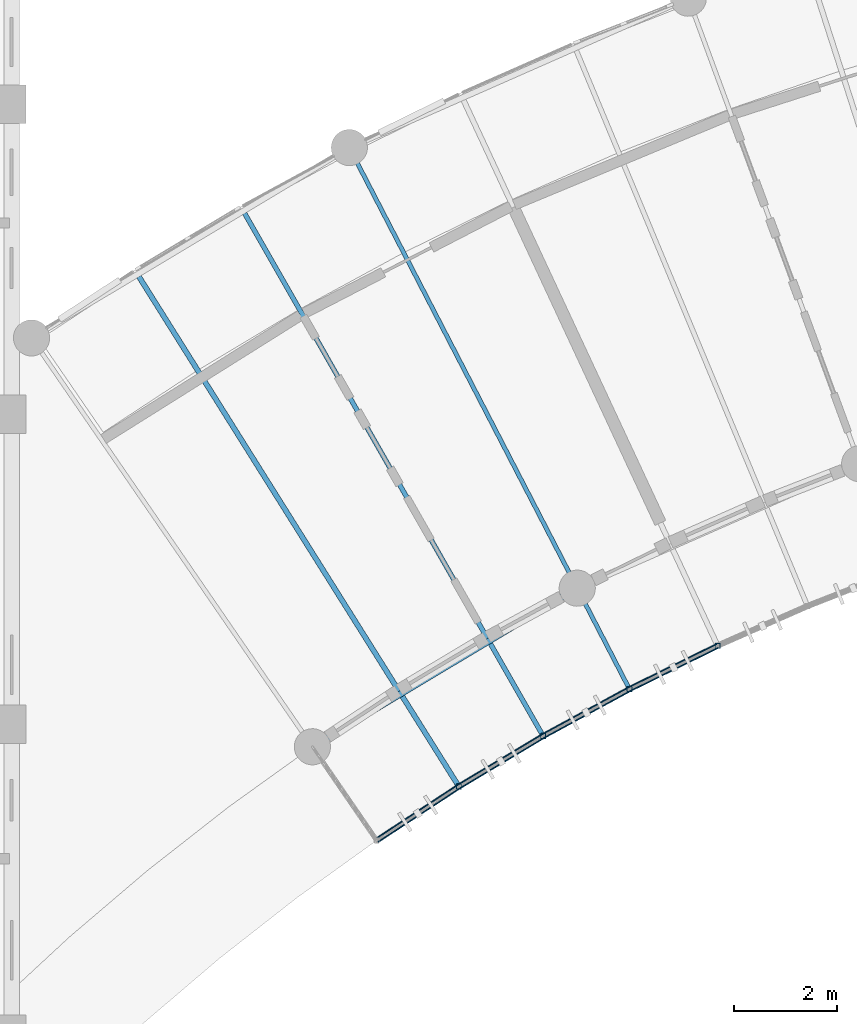
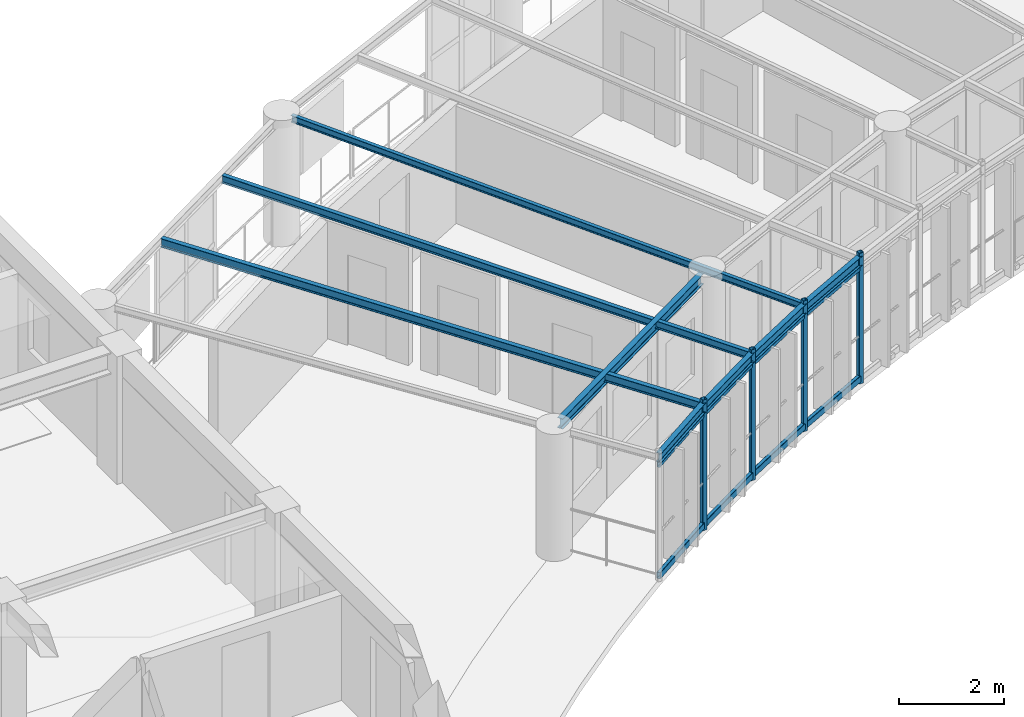
# One storey, part 26 of 100: 12 members, 8 beams.
"""IFC4 building model written with IfcOpenShell, lengths in metres."""

from ifc_helpers import new_model, si_unit, direction, frame, origin, origin_2d, place, context, subcontext, project, spatial, hollow_rectangle, i_section, extrude, material, material_profile, profile_set, type_object, element, save


model = new_model("IFC4")

# Units and contexts
model_context = context("Model", 3, precision=1e-05, world=origin(), true_north=direction((0.0, 1.0)))
body_context = subcontext(model_context, "Body", "Model", "MODEL_VIEW")
ifc_project = project(units=[si_unit("LENGTHUNIT", "METRE"), si_unit("AREAUNIT", "SQUARE_METRE"), si_unit("VOLUMEUNIT", "CUBIC_METRE"), si_unit("PLANEANGLEUNIT", "RADIAN"), si_unit("MASSUNIT", "GRAM", prefix="KILO"), si_unit("POWERUNIT", "WATT"), si_unit("THERMODYNAMICTEMPERATUREUNIT", "KELVIN")], contexts=[model_context])

# Site, building, storey
site_placement = place(None, origin())
site = spatial("IfcSite", under=ifc_project, at=site_placement, CompositionType="ELEMENT")
building_placement = place(site_placement, origin())
building = spatial("IfcBuilding", under=site, at=building_placement, Name="Ruvembo Vaulted Housing Court", CompositionType="ELEMENT")
storey_placement = place(building_placement, frame((0.0, 0.0, 10.89990234375)))
storey = spatial("IfcBuildingStorey", under=building, at=storey_placement, Name="L03", CompositionType="ELEMENT", Elevation=10.89990234375)

# Beams
ifc_material = material(Name="Steel S355J2", Category="steel")
ifc_material_profile_1 = material_profile(ifc_material, i_section(OverallWidth=0.08203125, OverallDepth=0.159912109375, WebThickness=0.0048828125, FlangeThickness=0.00732421875, FilletRadius=0.009033203125, at=origin_2d()), Name="IPE 160")
ifc_profile_set_1 = profile_set([ifc_material_profile_1], Name="Steel S355J2")
beam_type_1 = type_object("IfcBeamType", Name="BM-ST-IPE160", PredefinedType="JOIST", material=ifc_profile_set_1)
beam_1_placement = place(storey_placement, frame((90.6416015625, 100.956298828125, 2.860107421875), z_axis=(0.459452094215, -0.888202551855, 0.0), x_axis=(0.888202551855, 0.459452094215, 0.0)))
element("IfcBeam", 1, at=beam_1_placement, inside=storey, type_object=beam_type_1, Name="Scoop SC3 L03 Radial Steel Joist 3", PredefinedType="JOIST", context=body_context, shape_type="SweptSolid", body=[
    extrude(i_section(OverallWidth=0.08203125, OverallDepth=0.159912109375, WebThickness=0.0048828125, FlangeThickness=0.00732421875, FilletRadius=0.009033203125, at=origin_2d()), origin(), (0.0, 0.0, 1.0), 11.60986328125),
])
ifc_material_profile_2 = material_profile(ifc_material, i_section(OverallWidth=0.091064453125, OverallDepth=0.179931640625, WebThickness=0.00537109375, FlangeThickness=0.008056640625, FilletRadius=0.009033203125, at=origin_2d()), Name="IPE 180")
ifc_profile_set_2 = profile_set([ifc_material_profile_2], Name="Steel S355J2")
beam_type_2 = type_object("IfcBeamType", Name="BM-ST-IPE180", PredefinedType="JOIST", material=ifc_profile_set_2)
beam_2_placement = place(storey_placement, frame((88.509521484375, 99.888916015625, 2.85009765625), z_axis=(0.495907280655, -0.868375476965, 0.0), x_axis=(0.868375476965, 0.495907280655, 0.0)))
element("IfcBeam", 2, at=beam_2_placement, inside=storey, type_object=beam_type_2, Name="Scoop SC3 L03 Radial Steel Joist 2", PredefinedType="JOIST", context=body_context, shape_type="SweptSolid", body=[
    extrude(i_section(OverallWidth=0.091064453125, OverallDepth=0.179931640625, WebThickness=0.00537109375, FlangeThickness=0.008056640625, FilletRadius=0.009033203125, at=origin_2d()), origin(), (0.0, 0.0, 1.0), 11.69091796875),
])
ifc_material_profile_3 = material_profile(ifc_material, i_section(OverallWidth=0.10009765625, OverallDepth=0.199951171875, WebThickness=0.005615234375, FlangeThickness=0.008544921875, FilletRadius=0.011962890625, at=origin_2d()), Name="IPE 200")
ifc_profile_set_3 = profile_set([ifc_material_profile_3], Name="Steel S355J2")
beam_type_3 = type_object("IfcBeamType", Name="BM-ST-IPE200", PredefinedType="BEAM", material=ifc_profile_set_3)
beam_3_placement = place(storey_placement, frame((86.4638671875, 98.66357421875, 2.840087890625), z_axis=(0.531511049351, -0.847051358784, 0.0), x_axis=(0.847051358784, 0.531511049351, 0.0)))
element("IfcBeam", 3, at=beam_3_placement, inside=storey, type_object=beam_type_3, Name="Scoop SC3 L03 Radial Steel Joist 1", PredefinedType="BEAM", context=body_context, shape_type="SweptSolid", body=[
    extrude(i_section(OverallWidth=0.10009765625, OverallDepth=0.199951171875, WebThickness=0.005615234375, FlangeThickness=0.008544921875, FilletRadius=0.011962890625, at=origin_2d()), origin(), (0.0, 0.0, 1.0), 11.69091796875),
])
ifc_material_profile_4 = material_profile(ifc_material, i_section(OverallWidth=0.110107421875, OverallDepth=0.219970703125, WebThickness=0.005859375, FlangeThickness=0.00927734375, FilletRadius=0.011962890625, at=origin_2d()), Name="IPE 220")
ifc_profile_set_4 = profile_set([ifc_material_profile_4], Name="Steel S355J2")
beam_type_4 = type_object("IfcBeamType", Name="BM-ST-IPE220", PredefinedType="SPANDREL", material=ifc_profile_set_4)
for number, where, z_axis, x_axis, name in (
    (4, (91.0673828125, 87.751220703125, 2.830078125), (0.835902452778, 0.548878027834, 0.0), (-0.548878027834, 0.835902452778, 0.0), "Scoop SC3 L03 Balcony Edge Spandrel 0"),
    (5, (92.656494140625, 88.794677734375, 2.830078125), (0.857889282303, 0.513834583607, 0.0), (-0.513834583607, 0.857889282303, 0.0), "Scoop SC3 L03 Balcony Edge Spandrel 1"),
    (6, (94.287353515625, 89.771484375, 2.830078125), (0.878513214386, 0.477718046706, 0.0), (-0.477718046706, 0.878513214386, 0.0), "Scoop SC3 L03 Balcony Edge Spandrel 2"),
    (7, (95.95751953125, 90.6796875, 2.830078125), (0.897513310314, 0.44098736695, 0.0), (-0.44098736695, 0.897513310314, 0.0), "Scoop SC3 L03 Balcony Edge Spandrel 3"),
):
    element("IfcBeam", number, at=place(storey_placement, frame(where, z_axis=z_axis, x_axis=x_axis)), inside=storey, type_object=beam_type_4, Name=name, PredefinedType="SPANDREL", context=body_context, shape_type="SweptSolid", body=[
        extrude(i_section(OverallWidth=0.110107421875, OverallDepth=0.219970703125, WebThickness=0.005859375, FlangeThickness=0.00927734375, FilletRadius=0.011962890625, at=origin_2d()), origin(), (0.0, 0.0, 1.0), 1.901123046875),
    ])
ifc_material_profile_5 = material_profile(ifc_material, i_section(OverallWidth=0.1201171875, OverallDepth=0.239990234375, WebThickness=0.006103515625, FlangeThickness=0.009765625, FilletRadius=0.014892578125, at=origin_2d()), Name="IPE 240")
ifc_profile_set_5 = profile_set([ifc_material_profile_5], Name="Steel S355J2")
beam_type_5 = type_object("IfcBeamType", Name="BM-ST-IPE240", PredefinedType="BEAM", material=ifc_profile_set_5)
beam_4_placement = place(storey_placement, frame((90.01904296875, 89.6826171875, 2.822021484375), z_axis=(0.857902883734, 0.513811874212, 0.0), x_axis=(-0.513811874212, 0.857902883734, 0.0)))
element("IfcBeam", 8, at=beam_4_placement, inside=storey, type_object=beam_type_5, Name="Scoop SC3 L03 Chord Girder F0", PredefinedType="BEAM", context=body_context, shape_type="SweptSolid", body=[
    extrude(i_section(OverallWidth=0.1201171875, OverallDepth=0.239990234375, WebThickness=0.006103515625, FlangeThickness=0.009765625, FilletRadius=0.014892578125, at=origin_2d()), origin(), (0.0, 0.0, 1.0), 5.513671875),
])

# Members
ifc_material_profile_6 = material_profile(ifc_material, hollow_rectangle(XDim=0.06005859375, YDim=0.1201171875, WallThickness=0.0048828125, InnerFilletRadius=0.0048828125, OuterFilletRadius=0.010009765625, at=origin_2d()), Name="RHS 120x60x5")
ifc_profile_set_6 = profile_set([ifc_material_profile_6], Name="Steel S355J2")
member_type_1 = type_object("IfcMemberType", Name="MEM-CAR-RHS120", PredefinedType="CHORD", material=ifc_profile_set_6)
for number, where, z_axis, x_axis, name in (
    (9, (91.0673828125, 87.751220703125, 2.6630859375), (0.835902452778, 0.548878027834, 0.0), (-0.548878027834, 0.835902452778, 0.0), "Scoop SC3 L03 Upper Louvre Carrier Rail 0"),
    (10, (92.656494140625, 88.794677734375, 2.6630859375), (0.857889282303, 0.513834583607, 0.0), (-0.513834583607, 0.857889282303, 0.0), "Scoop SC3 L03 Upper Louvre Carrier Rail 1"),
    (11, (94.287353515625, 89.771484375, 2.6630859375), (0.878513214386, 0.477718046706, 0.0), (-0.477718046706, 0.878513214386, 0.0), "Scoop SC3 L03 Upper Louvre Carrier Rail 2"),
    (12, (95.95751953125, 90.6796875, 2.6630859375), (0.897513310314, 0.44098736695, 0.0), (-0.44098736695, 0.897513310314, 0.0), "Scoop SC3 L03 Upper Louvre Carrier Rail 3"),
):
    element("IfcMember", number, at=place(storey_placement, frame(where, z_axis=z_axis, x_axis=x_axis)), inside=storey, type_object=member_type_1, Name=name, PredefinedType="CHORD", context=body_context, shape_type="SweptSolid", body=[
        extrude(hollow_rectangle(XDim=0.06005859375, YDim=0.1201171875, WallThickness=0.0048828125, InnerFilletRadius=0.0048828125, OuterFilletRadius=0.010009765625, at=origin_2d()), origin(), (0.0, 0.0, 1.0), 1.901123046875),
    ])
ifc_material_profile_7 = material_profile(ifc_material, hollow_rectangle(XDim=0.080078125, YDim=0.14990234375, WallThickness=0.00634765625, InnerFilletRadius=0.00634765625, OuterFilletRadius=0.0126953125, at=origin_2d()), Name="RHS 150x80x6.3")
ifc_profile_set_7 = profile_set([ifc_material_profile_7], Name="Steel S355J2")
member_type_2 = type_object("IfcMemberType", Name="MEM-CAR-RHS150", PredefinedType="CHORD", material=ifc_profile_set_7)
for number, where, z_axis, x_axis, name in (
    (13, (91.0673828125, 87.751220703125, 0.09521484375), (0.835902452778, 0.548878027834, 0.0), (-0.548878027834, 0.835902452778, 0.0), "Scoop SC3 L03 Lower Louvre Carrier Rail 0"),
    (14, (92.656494140625, 88.794677734375, 0.09521484375), (0.857889282303, 0.513834583607, 0.0), (-0.513834583607, 0.857889282303, 0.0), "Scoop SC3 L03 Lower Louvre Carrier Rail 1"),
    (15, (94.287353515625, 89.771484375, 0.09521484375), (0.878513214386, 0.477718046706, 0.0), (-0.477718046706, 0.878513214386, 0.0), "Scoop SC3 L03 Lower Louvre Carrier Rail 2"),
    (16, (95.95751953125, 90.6796875, 0.09521484375), (0.897513310314, 0.44098736695, 0.0), (-0.44098736695, 0.897513310314, 0.0), "Scoop SC3 L03 Lower Louvre Carrier Rail 3"),
):
    element("IfcMember", number, at=place(storey_placement, frame(where, z_axis=z_axis, x_axis=x_axis)), inside=storey, type_object=member_type_2, Name=name, PredefinedType="CHORD", context=body_context, shape_type="SweptSolid", body=[
        extrude(hollow_rectangle(XDim=0.080078125, YDim=0.14990234375, WallThickness=0.00634765625, InnerFilletRadius=0.00634765625, OuterFilletRadius=0.0126953125, at=origin_2d()), origin(), (0.0, 0.0, 1.0), 1.901123046875),
    ])
ifc_material_profile_8 = material_profile(ifc_material, hollow_rectangle(XDim=0.10009765625, YDim=0.10009765625, WallThickness=0.00634765625, InnerFilletRadius=0.00634765625, OuterFilletRadius=0.0126953125, at=origin_2d()), Name="SHS 100x100x6.3")
ifc_profile_set_8 = profile_set([ifc_material_profile_8], Name="Steel S355J2")
member_type_3 = type_object("IfcMemberType", Name="MEM-FRM-SHS100", PredefinedType="STRUT", material=ifc_profile_set_8)
for number, where, z_axis, x_axis, name in (
    (17, (92.656494140625, 88.794677734375, -0.014892578125), (0.0, 0.0, 1.0), (1.0, 0.0, 0.0), "Scoop SC3 L03 Louvre Frame Post 1"),
    (18, (94.287353515625, 89.771484375, -0.014892578125), (0.0, 0.0, 1.0), (1.0, 0.0, 0.0), "Scoop SC3 L03 Louvre Frame Post 2"),
    (19, (95.95751953125, 90.6796875, -0.014892578125), (0.0, 0.0, 1.0), (1.0, 0.0, 0.0), "Scoop SC3 L03 Louvre Frame Post 3"),
    (20, (97.663818359375, 91.51806640625, -0.014892578125), (0.0, 0.0, 1.0), (1.0, 0.0, 0.0), "Scoop SC3 L03 Louvre Frame Post 4"),
):
    element("IfcMember", number, at=place(storey_placement, frame(where, z_axis=z_axis, x_axis=x_axis)), inside=storey, type_object=member_type_3, Name=name, PredefinedType="STRUT", context=body_context, shape_type="SweptSolid", body=[
        extrude(hollow_rectangle(XDim=0.10009765625, YDim=0.10009765625, WallThickness=0.00634765625, InnerFilletRadius=0.00634765625, OuterFilletRadius=0.0126953125, at=origin_2d()), origin(), (0.0, 0.0, 1.0), 3.032958984375),
    ])

save(model, "model.ifc")
